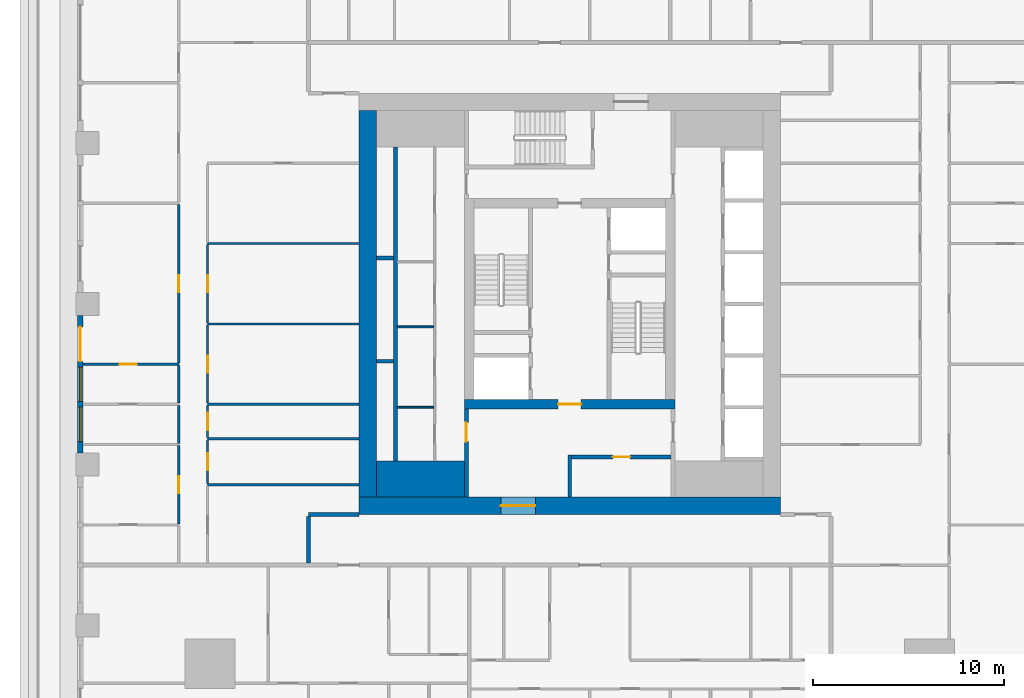
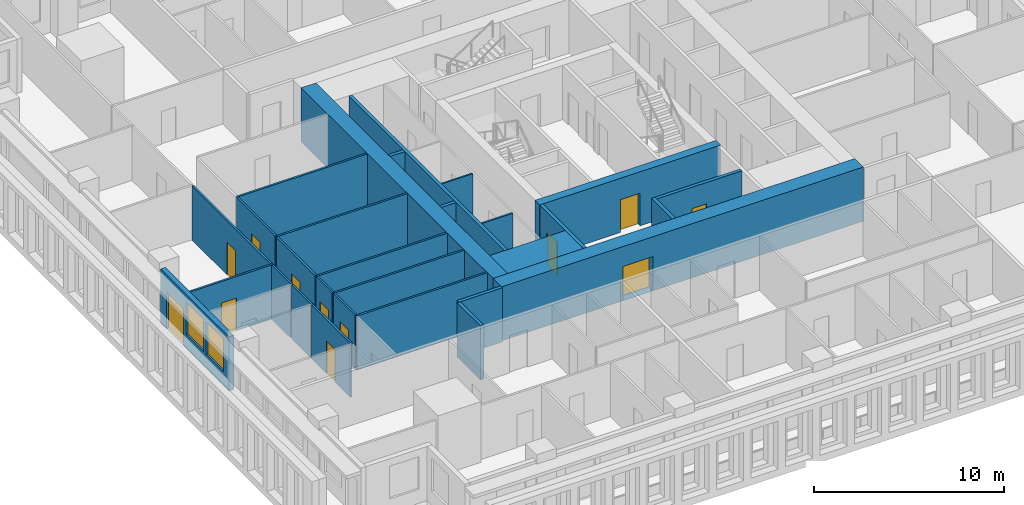
# One storey, part 3 of 16: 29 walls, 12 doors, 2 windows, 14 openings.
"""IFC4 building model written with IfcOpenShell, lengths in metres."""

import ifcopenshell
import ifcopenshell.guid

model = None  # the IFC model being written
_history = None  # IfcOwnerHistory: only IFC2X3 demands one
_inside = {}  # id of a spatial element -> (the spatial element, [elements in it])
_under = {}  # id of a project, library or spatial element -> (it, [spatial elements below it])
_declared = {}  # id of a project -> (the project, [libraries it declares])
_typed = {}  # id of a type object -> (the type object, [elements of that type])
_made_of = {}  # id of a material, layer set ... -> (it, [elements and type objects made of it])


def new_model(schema):
    """Start an empty IFC model of exactly this schema.

    Asked for "IFC4X3", IfcOpenShell would pick the latest addendum, in which some entities
    have other attributes; the version numbers below select the first issue.
    IFC2X3 requires an IfcOwnerHistory on every rooted entity: one is made here for all.
    """
    global model, _history
    if schema == "IFC4X3":
        model = ifcopenshell.file(schema_version=(4, 3, 0, 0))
    else:
        model = ifcopenshell.file(schema=schema)
    _inside.clear()
    _under.clear()
    _declared.clear()
    _typed.clear()
    _made_of.clear()
    _history = None
    if model.schema == "IFC2X3":
        org = make("IfcOrganization", Name="unknown")
        user = make(
            "IfcPersonAndOrganization",
            ThePerson=make("IfcPerson", FamilyName="unknown"),
            TheOrganization=org,
        )
        app = make(
            "IfcApplication",
            ApplicationDeveloper=org,
            Version="unknown",
            ApplicationFullName="unknown",
            ApplicationIdentifier="unknown",
        )
        _history = make(
            "IfcOwnerHistory",
            OwningUser=user,
            OwningApplication=app,
            ChangeAction="ADDED",
            CreationDate=0,
        )
    return model


def make(cls, **values):
    """One entity of the class cls with the attributes given. An attribute that is None is left unset."""
    return model.create_entity(
        cls, **{name: value for name, value in values.items() if value is not None}
    )


def rooted(cls, **values):
    """An entity with a GlobalId (a new one), such as an element, a storey or a relation."""
    return make(cls, GlobalId=ifcopenshell.guid.new(), OwnerHistory=_history, **values)


def si_unit(unit_type, name, prefix=None):
    """IfcSIUnit, for example si_unit("LENGTHUNIT", "METRE", prefix="MILLI")."""
    return make("IfcSIUnit", UnitType=unit_type, Prefix=prefix, Name=name)


def assignment(units):
    """IfcUnitAssignment: the units of a project."""
    return None if units is None else make("IfcUnitAssignment", Units=units)


def point(xyz):
    """IfcCartesianPoint."""
    return None if xyz is None else make("IfcCartesianPoint", Coordinates=xyz)


def direction(xyz):
    """IfcDirection."""
    return None if xyz is None else make("IfcDirection", DirectionRatios=xyz)


def frame(location, z_axis=None, x_axis=None):
    """IfcAxis2Placement3D, a coordinate frame: its origin and axes. An axis left out is left unset."""
    return make(
        "IfcAxis2Placement3D",
        Location=point(location),
        Axis=direction(z_axis),
        RefDirection=direction(x_axis),
    )


def frame_2d(location, x_axis=None):
    """IfcAxis2Placement2D, a coordinate frame in the plane: its origin and x axis."""
    return make(
        "IfcAxis2Placement2D", Location=point(location), RefDirection=direction(x_axis)
    )


def origin():
    """The frame at (0, 0, 0) with its axes left unset."""
    return frame((0.0, 0.0, 0.0))


def place(relative_to, where):
    """IfcLocalPlacement: puts the frame where relative to a parent placement (None: the world)."""
    return make(
        "IfcLocalPlacement", PlacementRelTo=relative_to, RelativePlacement=where
    )


def context(
    kind, dimensions, precision=None, world=None, true_north=None, identifier=None
):
    """IfcGeometricRepresentationContext, for example the 3D "Model" context."""
    return make(
        "IfcGeometricRepresentationContext",
        ContextIdentifier=identifier,
        ContextType=kind,
        CoordinateSpaceDimension=dimensions,
        Precision=precision,
        WorldCoordinateSystem=world,
        TrueNorth=true_north,
    )


def subcontext(parent, identifier, kind, view, scale=None):
    """IfcGeometricRepresentationSubContext, for example "Body" below "Model"."""
    return make(
        "IfcGeometricRepresentationSubContext",
        ContextIdentifier=identifier,
        ContextType=kind,
        ParentContext=parent,
        TargetScale=scale,
        TargetView=view,
    )


def project(units=None, contexts=None):
    """IfcProject with its units and contexts."""
    return rooted(
        "IfcProject",
        Name="project",
        RepresentationContexts=contexts,
        UnitsInContext=assignment(units),
    )


def spatial(cls, under=None, at=None, **own):
    """A site, building, storey or space (cls), placed at a placement, below another one or the project."""
    s = rooted(cls, ObjectPlacement=at, **own)
    if under is not None:
        _under.setdefault(under.id(), (under, []))[1].append(s)
    return s


def profile(cls, at=None, kind="AREA", **sizes):
    """A parametric profile (cls). Its sizes go by their IFC names, for example OverallWidth=200.0."""
    return make(cls, ProfileType=kind, Position=at, **sizes)


def rectangle(**sizes):
    """IfcRectangleProfileDef."""
    return profile("IfcRectangleProfileDef", **sizes)


def extrude(swept, where, along, depth):
    """IfcExtrudedAreaSolid: the profile swept, set in the frame where, extruded along a direction by depth."""
    return make(
        "IfcExtrudedAreaSolid",
        SweptArea=swept,
        Position=where,
        ExtrudedDirection=direction(along),
        Depth=depth,
    )


def shape(context_of_items, identifier, shape_type, items):
    """IfcShapeRepresentation: the items that make up one representation, for example the "Body"."""
    return make(
        "IfcShapeRepresentation",
        ContextOfItems=context_of_items,
        RepresentationIdentifier=identifier,
        RepresentationType=shape_type,
        Items=items,
    )


def material(Name=None, Category=None):
    """IfcMaterial."""
    return make("IfcMaterial", Name=Name, Category=Category)


def layer(
    of_material, thickness, ventilated=None, Name=None, Category=None, Priority=None
):
    """IfcMaterialLayer: one layer of a wall or slab, of a material (None: an air gap)."""
    return make(
        "IfcMaterialLayer",
        Material=of_material,
        LayerThickness=thickness,
        IsVentilated=ventilated,
        Name=Name,
        Category=Category,
        Priority=Priority,
    )


def layer_set(layers, Name=None):
    """IfcMaterialLayerSet."""
    return make("IfcMaterialLayerSet", MaterialLayers=layers, LayerSetName=Name)


def made_of(thing, what):
    """Note that an element or type object is made of a material, layer set ...; save() writes the relation."""
    if what is not None:
        _made_of.setdefault(what.id(), (what, []))[1].append(thing)
    return thing


def type_object(cls, material=None, **own):
    """A type object (cls), such as IfcWallType, which elements share."""
    return made_of(rooted(cls, **own), material)


def element(
    cls,
    number,
    at=None,
    inside=None,
    cuts=None,
    type_object=None,
    material=None,
    context=None,
    identifier="Body",
    shape_type=None,
    held_by="IfcProductDefinitionShape",
    body=None,
    shapes=None,
    **own,
):
    """One element of the class cls, such as IfcWall. Its Tag is "e" and its number.

    at: its placement. inside: the storey or other place that contains it. cuts: it is an
    opening in that element (IfcRelVoidsElement). A single representation is given by context,
    identifier, shape_type and body (its items); several are given by shapes. held_by: the class
    of the entity that holds the representations. save() writes the other relations.
    """
    e = rooted(cls, Tag="e%d" % number, ObjectPlacement=at, **own)
    if body is not None:
        shapes = [shape(context, identifier, shape_type, body)]
    if shapes is not None:
        e.Representation = make(held_by, Representations=shapes)
    if inside is not None:
        _inside.setdefault(inside.id(), (inside, []))[1].append(e)
    if cuts is not None:
        rooted(
            "IfcRelVoidsElement", RelatingBuildingElement=cuts, RelatedOpeningElement=e
        )
    if type_object is not None:
        _typed.setdefault(type_object.id(), (type_object, []))[1].append(e)
    return made_of(e, material)


def fill(opening, filler):
    """IfcRelFillsElement: the door or window that sits in an opening."""
    return rooted(
        "IfcRelFillsElement",
        RelatingOpeningElement=opening,
        RelatedBuildingElement=filler,
    )


def aggregate(whole, parts):
    """IfcRelAggregates: a whole, such as a stair, and the parts it consists of."""
    return rooted("IfcRelAggregates", RelatingObject=whole, RelatedObjects=parts)


def save(model, path):
    """Write the relations noted so far, then the file.

    IfcRelAggregates (storeys below a building ...), IfcRelContainedInSpatialStructure (elements
    in a storey), IfcRelDefinesByType, IfcRelAssociatesMaterial and IfcRelDeclares: one each for
    every whole, place, type object, material and project.
    """
    for whole, parts in _under.values():
        aggregate(whole, parts)
    for where, things in _inside.values():
        rooted(
            "IfcRelContainedInSpatialStructure",
            RelatedElements=things,
            RelatingStructure=where,
        )
    for kind, things in _typed.values():
        rooted("IfcRelDefinesByType", RelatedObjects=things, RelatingType=kind)
    for what, things in _made_of.values():
        rooted("IfcRelAssociatesMaterial", RelatedObjects=things, RelatingMaterial=what)
    for by, libraries in _declared.values():
        rooted("IfcRelDeclares", RelatingContext=by, RelatedDefinitions=libraries)
    model.write(path)


model = new_model("IFC4")

# Units and contexts
model_context = context("Model", 3, precision=1e-05, world=origin(), true_north=direction((0.0, 1.0)))
body_context = subcontext(model_context, "Body", "Model", "MODEL_VIEW")
ifc_project = project(units=[si_unit("LENGTHUNIT", "METRE"), si_unit("AREAUNIT", "SQUARE_METRE"), si_unit("VOLUMEUNIT", "CUBIC_METRE"), si_unit("PLANEANGLEUNIT", "RADIAN"), si_unit("MASSUNIT", "GRAM", prefix="KILO")], contexts=[model_context])

# Site, building, storey
site_placement = place(None, origin())
site = spatial("IfcSite", under=ifc_project, at=site_placement, CompositionType="ELEMENT")
building_placement = place(site_placement, origin())
building = spatial("IfcBuilding", under=site, at=building_placement, Name="Khepri Terraces", CompositionType="ELEMENT")
storey_placement = place(building_placement, frame((0.0, 0.0, 141.60009765625)))
storey = spatial("IfcBuildingStorey", under=building, at=storey_placement, Name="L33", CompositionType="ELEMENT", Elevation=141.60009765625)

# Walls
ifc_material_1 = material(Name="Concrete C60/75", Category="concrete")
ifc_layer_1 = layer(ifc_material_1, 1.89990234375, Name="Concrete C60/75", Category="concrete")
ifc_layer_set_1 = layer_set([ifc_layer_1], Name="Concrete C60/75")
wall_type_1 = type_object("IfcWallType", Name="Core wall 1900 C60/75", PredefinedType="SHEAR", material=ifc_layer_set_1)
wall_1_placement = place(storey_placement, frame((-10.10009765625, -9.14990234375, 0.0), z_axis=(0.0, 0.0, 1.0), x_axis=(1.0, 0.0, 0.0)))
element("IfcWall", 1, at=wall_1_placement, inside=storey, type_object=wall_type_1, Name="Core wall PR01 L33", PredefinedType="SHEAR", context=body_context, shape_type="SweptSolid", body=[
    extrude(rectangle(XDim=4.60009765625, YDim=1.89990234375, at=frame_2d((2.300048828125, 0.0))), origin(), (0.0, 0.0, 1.0), 3.47998046875),
])
ifc_layer_2 = layer(ifc_material_1, 0.199951171875, Name="Concrete C60/75", Category="concrete")
ifc_layer_set_2 = layer_set([ifc_layer_2], Name="Concrete C60/75")
wall_type_2 = type_object("IfcWallType", Name="Core wall 200 C60/75", PredefinedType="SHEAR", material=ifc_layer_set_2)
wall_2_placement = place(storey_placement, frame((-9.10009765625, -8.199951171875, 0.0), z_axis=(0.0, 0.0, 1.0), x_axis=(0.0, 1.0, 0.0)))
element("IfcWall", 2, at=wall_2_placement, inside=storey, type_object=wall_type_2, Name="Core wall SH01 L33", PredefinedType="SHEAR", context=body_context, shape_type="SweptSolid", body=[
    extrude(rectangle(XDim=16.39990234375, YDim=0.199951171875, at=frame_2d((8.199951171875, 0.0))), origin(), (0.0, 0.0, 1.0), 3.47998046875),
])
for number, where, z_axis, x_axis, name in (
    (3, (-10.10009765625, -3.0, 0.0), (0.0, 0.0, 1.0), (1.0, 0.0, 0.0), "Core wall SH06 L33"),
    (4, (-10.10009765625, 2.39990234375, 0.0), (0.0, 0.0, 1.0), (1.0, 0.0, 0.0), "Core wall SH11 L33"),
):
    element("IfcWall", number, at=place(storey_placement, frame(where, z_axis=z_axis, x_axis=x_axis)), inside=storey, type_object=wall_type_2, Name=name, PredefinedType="SHEAR", context=body_context, shape_type="SweptSolid", body=[
        extrude(rectangle(XDim=0.900146484375, YDim=0.199951171875, at=frame_2d((0.4501953125, 0.0))), origin(), (0.0, 0.0, 1.0), 3.47998046875),
    ])

# Wall, opening, door
ifc_layer_3 = layer(ifc_material_1, 0.5, Name="Concrete C60/75", Category="concrete")
ifc_layer_set_3 = layer_set([ifc_layer_3], Name="Concrete C60/75")
wall_type_3 = type_object("IfcWallType", Name="Core wall 500 C60/75", PredefinedType="SHEAR", material=ifc_layer_set_3)
wall_3_placement = place(storey_placement, frame((-5.5, -5.25, 0.0), z_axis=(0.0, 0.0, 1.0), x_axis=(1.0, 0.0, 0.0)))
wall_3 = element("IfcWall", 5, at=wall_3_placement, inside=storey, type_object=wall_type_3, Name="Core wall BX01 L33", PredefinedType="SHEAR", context=body_context, shape_type="SweptSolid", body=[
    extrude(rectangle(XDim=11.0, YDim=0.5, at=frame_2d((5.5, 0.0))), origin(), (0.0, 0.0, 1.0), 3.47998046875),
])
opening_1_placement = place(wall_3_placement, frame((4.89990234375, 0.0, 0.0)))
opening_1 = element("IfcOpeningElement", 6, at=opening_1_placement, cuts=wall_3, Name="Opening L33-C14", PredefinedType="OPENING", context=body_context, shape_type="SweptSolid", body=[
    extrude(rectangle(XDim=1.199951171875, YDim=2.10009765625, at=frame_2d((0.60009765625, 1.050048828125))), frame((0.0, 0.260009765625, 0.0), z_axis=(0.0, -1.0, 0.0), x_axis=(1.0, 0.0, 0.0)), (0.0, 0.0, 1.0), 0.52001953125),
])
ifc_material_2 = material(Name="Painted steel", Category="steel")
door_type_1 = type_object("IfcDoorType", Name="DR-CORE-FF-LOBBY-1200", OperationType="NOTDEFINED", PredefinedType="DOOR", material=ifc_material_2)
door_1_placement = place(opening_1_placement, origin())
door_1 = element("IfcDoor", 7, at=door_1_placement, inside=storey, type_object=door_type_1, Name="Firefighting lobby door L33-C14", OperationType="SINGLE_SWING_RIGHT", OverallHeight=2.10009765625, OverallWidth=1.199951171875, PredefinedType="DOOR", context=body_context, shape_type="SweptSolid", body=[
    extrude(rectangle(XDim=1.199951171875, YDim=2.10009765625, at=frame_2d((0.60009765625, 1.050048828125))), frame((0.0, 0.02490234375, 0.0), z_axis=(0.0, -1.0, 0.0), x_axis=(1.0, 0.0, 0.0)), (0.0, 0.0, 1.0), 0.050048828125),
])
fill(opening_1, door_1)

ifc_layer_4 = layer(ifc_material_1, 0.89990234375, Name="Concrete C60/75", Category="concrete")
ifc_layer_set_4 = layer_set([ifc_layer_4], Name="Concrete C60/75")
wall_type_4 = type_object("IfcWallType", Name="Core wall 900 C60/75", PredefinedType="SHEAR", material=ifc_layer_set_4)
wall_4_placement = place(storey_placement, frame((-11.0, -10.550048828125, 0.0), z_axis=(0.0, 0.0, 1.0), x_axis=(1.0, 0.0, 0.0)))
wall_4 = element("IfcWall", 8, at=wall_4_placement, inside=storey, type_object=wall_type_4, Name="Core wall OW-S L33", PredefinedType="SHEAR", context=body_context, shape_type="SweptSolid", body=[
    extrude(rectangle(XDim=22.0, YDim=0.89990234375, at=frame_2d((11.0, 0.0))), origin(), (0.0, 0.0, 1.0), 3.47998046875),
])
opening_2_placement = place(wall_4_placement, frame((7.39990234375, 0.0, 0.0)))
opening_2 = element("IfcOpeningElement", 9, at=opening_2_placement, cuts=wall_4, Name="Opening L33-C21", PredefinedType="OPENING", context=body_context, shape_type="SweptSolid", body=[
    extrude(rectangle(XDim=1.800048828125, YDim=2.199951171875, at=frame_2d((0.89990234375, 1.10009765625))), frame((0.0, 0.4599609375, 0.0), z_axis=(0.0, -1.0, 0.0), x_axis=(1.0, 0.0, 0.0)), (0.0, 0.0, 1.0), 0.919921875),
])
door_type_2 = type_object("IfcDoorType", Name="DR-CORE-ENTRANCE-1800", OperationType="NOTDEFINED", PredefinedType="DOOR", material=ifc_material_2)
door_2_placement = place(opening_2_placement, frame((1.800048828125, 0.0, 0.0), z_axis=(0.0, 0.0, 1.0), x_axis=(-1.0, 0.0, 0.0)))
door_2 = element("IfcDoor", 10, at=door_2_placement, inside=storey, type_object=door_type_2, Name="Core entrance door pair L33-C21", OperationType="DOUBLE_DOOR_SINGLE_SWING", OverallHeight=2.199951171875, OverallWidth=1.800048828125, PredefinedType="DOOR", context=body_context, shape_type="SweptSolid", body=[
    extrude(rectangle(XDim=1.800048828125, YDim=2.199951171875, at=frame_2d((0.89990234375, 1.10009765625))), frame((0.0, 0.02490234375, 0.0), z_axis=(0.0, -1.0, 0.0), x_axis=(1.0, 0.0, 0.0)), (0.0, 0.0, 1.0), 0.050048828125),
])
fill(opening_2, door_2)

# Walls
wall_5_placement = place(storey_placement, frame((-10.550048828125, -10.10009765625, 0.0), z_axis=(0.0, 0.0, 1.0), x_axis=(0.0, 1.0, 0.0)))
element("IfcWall", 11, at=wall_5_placement, inside=storey, type_object=wall_type_4, Name="Core wall OW-W L33", PredefinedType="SHEAR", context=body_context, shape_type="SweptSolid", body=[
    extrude(rectangle(XDim=20.2001953125, YDim=0.89990234375, at=frame_2d((10.10009765625, 0.0))), origin(), (0.0, 0.0, 1.0), 3.47998046875),
])
ifc_material_3 = material(Name="Fire-rated gypsum board partition")
ifc_layer_5 = layer(ifc_material_3, 0.10009765625, Name="Fire-rated gypsum board partition")
ifc_layer_set_5 = layer_set([ifc_layer_5], Name="Fire-rated gypsum board partition")
wall_type_5 = type_object("IfcWallType", Name="WL-CORE-PART-100", PredefinedType="PARTITIONING", material=ifc_layer_set_5)
for number, where, z_axis, x_axis, name in (
    (12, (-9.0, -5.39990234375, 0.0), (0.0, 0.0, 1.0), (1.0, 0.0, 0.0), "Core partition PT06 L33"),
    (13, (-9.0, -1.199951171875, 0.0), (0.0, 0.0, 1.0), (1.0, 0.0, 0.0), "Core partition PT07 L33"),
):
    element("IfcWall", number, at=place(storey_placement, frame(where, z_axis=z_axis, x_axis=x_axis)), inside=storey, type_object=wall_type_5, Name=name, PredefinedType="PARTITIONING", context=body_context, shape_type="SweptSolid", body=[
        extrude(rectangle(XDim=1.89990234375, YDim=0.10009765625, at=frame_2d((0.949951171875, 0.0))), origin(), (0.0, 0.0, 1.0), 3.47998046875),
    ])

# Wall, opening, door
ifc_layer_6 = layer(ifc_material_3, 0.199951171875, Name="Fire-rated gypsum board partition")
ifc_layer_set_6 = layer_set([ifc_layer_6], Name="Fire-rated gypsum board partition")
wall_type_6 = type_object("IfcWallType", Name="WL-CORE-PART-200", PredefinedType="PARTITIONING", material=ifc_layer_set_6)
wall_6_placement = place(storey_placement, frame((-5.39990234375, -10.10009765625, 0.0), z_axis=(0.0, 0.0, 1.0), x_axis=(0.0, 1.0, 0.0)))
wall_6 = element("IfcWall", 14, at=wall_6_placement, inside=storey, type_object=wall_type_6, Name="Core partition PT01 L33", PredefinedType="PARTITIONING", context=body_context, shape_type="SweptSolid", body=[
    extrude(rectangle(XDim=4.60009765625, YDim=0.199951171875, at=frame_2d((2.300048828125, 0.0))), origin(), (0.0, 0.0, 1.0), 3.47998046875),
])
opening_3_placement = place(wall_6_placement, frame((2.89990234375, 0.0, 0.0)))
opening_3 = element("IfcOpeningElement", 15, at=opening_3_placement, cuts=wall_6, Name="Opening L33-C18", PredefinedType="OPENING", context=body_context, shape_type="SweptSolid", body=[
    extrude(rectangle(XDim=1.0, YDim=2.10009765625, at=frame_2d((0.5, 1.050048828125))), frame((0.0, 0.10986328125, 0.0), z_axis=(0.0, -1.0, 0.0), x_axis=(1.0, 0.0, 0.0)), (0.0, 0.0, 1.0), 0.219970703125),
])
door_type_3 = type_object("IfcDoorType", Name="DR-CORE-LOBBY-1000", OperationType="NOTDEFINED", PredefinedType="DOOR", material=ifc_material_2)
door_3_placement = place(opening_3_placement, frame((1.0, 0.0, 0.0), z_axis=(0.0, 0.0, 1.0), x_axis=(-1.0, 0.0, 0.0)))
door_3 = element("IfcDoor", 16, at=door_3_placement, inside=storey, type_object=door_type_3, Name="Lobby door L33-C18", OperationType="SINGLE_SWING_LEFT", OverallHeight=2.10009765625, OverallWidth=1.0, PredefinedType="DOOR", context=body_context, shape_type="SweptSolid", body=[
    extrude(rectangle(XDim=1.0, YDim=2.10009765625, at=frame_2d((0.5, 1.050048828125))), frame((0.0, 0.02490234375, 0.0), z_axis=(0.0, -1.0, 0.0), x_axis=(1.0, 0.0, 0.0)), (0.0, 0.0, 1.0), 0.050048828125),
])
fill(opening_3, door_3)

# Wall
wall_7_placement = place(storey_placement, frame((0.0, -10.10009765625, 0.0), z_axis=(0.0, 0.0, 1.0), x_axis=(0.0, 1.0, 0.0)))
element("IfcWall", 17, at=wall_7_placement, inside=storey, type_object=wall_type_6, Name="Core partition PT02 L33", PredefinedType="PARTITIONING", context=body_context, shape_type="SweptSolid", body=[
    extrude(rectangle(XDim=2.2001953125, YDim=0.199951171875, at=frame_2d((1.10009765625, 0.0))), origin(), (0.0, 0.0, 1.0), 3.47998046875),
])

# Wall, opening, door
wall_8_placement = place(storey_placement, frame((0.10009765625, -8.0, 0.0), z_axis=(0.0, 0.0, 1.0), x_axis=(1.0, 0.0, 0.0)))
wall_8 = element("IfcWall", 18, at=wall_8_placement, inside=storey, type_object=wall_type_6, Name="Core partition PT05 L33", PredefinedType="PARTITIONING", context=body_context, shape_type="SweptSolid", body=[
    extrude(rectangle(XDim=5.199951171875, YDim=0.199951171875, at=frame_2d((2.60009765625, 0.0))), origin(), (0.0, 0.0, 1.0), 3.47998046875),
])
opening_4_placement = place(wall_8_placement, frame((2.14990234375, 0.0, 0.0)))
opening_4 = element("IfcOpeningElement", 19, at=opening_4_placement, cuts=wall_8, Name="Opening L33-C22", PredefinedType="OPENING", context=body_context, shape_type="SweptSolid", body=[
    extrude(rectangle(XDim=0.89990234375, YDim=2.10009765625, at=frame_2d((0.449951171875, 1.050048828125))), frame((0.0, 0.10986328125, 0.0), z_axis=(0.0, -1.0, 0.0), x_axis=(1.0, 0.0, 0.0)), (0.0, 0.0, 1.0), 0.219970703125),
])
door_type_4 = type_object("IfcDoorType", Name="DR-CORE-SERVICE-900", OperationType="NOTDEFINED", PredefinedType="DOOR", material=ifc_material_2)
door_4_placement = place(opening_4_placement, frame((0.89990234375, 0.0, 0.0), z_axis=(0.0, 0.0, 1.0), x_axis=(-1.0, 0.0, 0.0)))
door_4 = element("IfcDoor", 20, at=door_4_placement, inside=storey, type_object=door_type_4, Name="Service room door L33-C22", OperationType="SINGLE_SWING_LEFT", OverallHeight=2.10009765625, OverallWidth=0.89990234375, PredefinedType="DOOR", context=body_context, shape_type="SweptSolid", body=[
    extrude(rectangle(XDim=0.89990234375, YDim=2.10009765625, at=frame_2d((0.449951171875, 1.050048828125))), frame((0.0, 0.02490234375, 0.0), z_axis=(0.0, -1.0, 0.0), x_axis=(1.0, 0.0, 0.0)), (0.0, 0.0, 1.0), 0.050048828125),
])
fill(opening_4, door_4)

# Walls
ifc_material_4 = material(Name="Fire-rated gypsum plasterboard partition, mineral wool")
ifc_layer_7 = layer(ifc_material_4, 0.199951171875, Name="Fire-rated gypsum plasterboard partition, mineral wool")
ifc_layer_set_7 = layer_set([ifc_layer_7], Name="Fire-rated gypsum plasterboard partition, mineral wool")
wall_type_7 = type_object("IfcWallType", Name="WL-CORR-200", PredefinedType="PARTITIONING", material=ifc_layer_set_7)
wall_9_placement = place(storey_placement, frame((-13.64990234375, -13.550048828125, 0.0), z_axis=(0.0, 0.0, 1.0), x_axis=(0.0, 1.0, 0.0)))
element("IfcWall", 21, at=wall_9_placement, inside=storey, type_object=wall_type_7, Name="Partition P-031 L33", PredefinedType="PARTITIONING", context=body_context, shape_type="SweptSolid", body=[
    extrude(rectangle(XDim=2.449951171875, YDim=0.199951171875, at=frame_2d((1.22509765625, 0.0))), origin(), (0.0, 0.0, 1.0), 3.47998046875),
])
wall_10_placement = place(storey_placement, frame((-13.64990234375, -11.0, 0.0), z_axis=(0.0, 0.0, 1.0), x_axis=(1.0, 0.0, 0.0)))
element("IfcWall", 22, at=wall_10_placement, inside=storey, type_object=wall_type_7, Name="Partition P-037 L33", PredefinedType="PARTITIONING", context=body_context, shape_type="SweptSolid", body=[
    extrude(rectangle(XDim=2.64990234375, YDim=0.199951171875, at=frame_2d((1.324951171875, 0.0))), origin(), (0.0, 0.0, 1.0), 3.47998046875),
])

# Wall, openings, door, windows
ifc_material_5 = material(Name="Precast concrete C50/60 warm stone", Category="masonry")
ifc_layer_8 = layer(ifc_material_5, 0.300048828125, Name="Precast concrete C50/60 warm stone", Category="masonry")
ifc_layer_set_8 = layer_set([ifc_layer_8], Name="Precast concrete C50/60 warm stone")
wall_type_8 = type_object("IfcWallType", Name="WL-EXT-PRECAST-300", PredefinedType="STANDARD", material=ifc_layer_set_8)
wall_11_placement = place(storey_placement, frame((-25.570068359375, -0.60009765625, 0.0), z_axis=(0.0, 0.0, 1.0), x_axis=(0.0, -1.0, 0.0)))
wall_11 = element("IfcWall", 23, at=wall_11_placement, inside=storey, type_object=wall_type_8, Name="External wall L33 W", PredefinedType="STANDARD", context=body_context, shape_type="SweptSolid", body=[
    extrude(rectangle(XDim=7.199951171875, YDim=0.300048828125, at=frame_2d((3.60009765625, 0.0))), origin(), (0.0, 0.0, 1.0), 3.47998046875),
])
opening_5_placement = place(wall_11_placement, frame((0.60009765625, 0.0, 0.0)))
opening_5 = element("IfcOpeningElement", 24, at=opening_5_placement, cuts=wall_11, Name="Opening ED-L33-18", PredefinedType="OPENING", context=body_context, shape_type="SweptSolid", body=[
    extrude(rectangle(XDim=1.800048828125, YDim=2.39990234375, at=frame_2d((0.89990234375, 1.199951171875))), frame((0.0, 0.16015625, 0.0), z_axis=(0.0, -1.0, 0.0), x_axis=(1.0, 0.0, 0.0)), (0.0, 0.0, 1.0), 0.320068359375),
])
opening_6_placement = place(wall_11_placement, frame((2.699951171875, 0.0, 0.89990234375)))
opening_6 = element("IfcOpeningElement", 25, at=opening_6_placement, cuts=wall_11, Name="Opening W1", PredefinedType="OPENING", context=body_context, shape_type="SweptSolid", body=[
    extrude(rectangle(XDim=1.800048828125, YDim=2.10009765625, at=frame_2d((0.89990234375, 1.050048828125))), frame((0.0, 0.16015625, 0.0), z_axis=(0.0, -1.0, 0.0), x_axis=(1.0, 0.0, 0.0)), (0.0, 0.0, 1.0), 0.320068359375),
])
opening_7_placement = place(wall_11_placement, frame((4.800048828125, 0.0, 0.89990234375)))
opening_7 = element("IfcOpeningElement", 26, at=opening_7_placement, cuts=wall_11, Name="Opening W1", PredefinedType="OPENING", context=body_context, shape_type="SweptSolid", body=[
    extrude(rectangle(XDim=1.800048828125, YDim=2.10009765625, at=frame_2d((0.89990234375, 1.050048828125))), frame((0.0, 0.16015625, 0.0), z_axis=(0.0, -1.0, 0.0), x_axis=(1.0, 0.0, 0.0)), (0.0, 0.0, 1.0), 0.320068359375),
])
ifc_material_6 = material(Name="Anodised aluminium bronze glazed door", Category="aluminium")
door_type_5 = type_object("IfcDoorType", Name="DR-BAL-SLIDE-1800x2400", OperationType="NOTDEFINED", PredefinedType="DOOR", material=ifc_material_6)
door_5_placement = place(opening_5_placement, origin())
door_5 = element("IfcDoor", 27, at=door_5_placement, inside=storey, type_object=door_type_5, Name="Balcony door L33 W", OperationType="SLIDING_TO_LEFT", OverallHeight=2.39990234375, OverallWidth=1.800048828125, PredefinedType="DOOR", context=body_context, shape_type="SweptSolid", body=[
    extrude(rectangle(XDim=1.800048828125, YDim=2.39990234375, at=frame_2d((0.89990234375, 1.199951171875))), frame((0.0, 0.02490234375, 0.0), z_axis=(0.0, -1.0, 0.0), x_axis=(1.0, 0.0, 0.0)), (0.0, 0.0, 1.0), 0.050048828125),
])
fill(opening_5, door_5)
ifc_material_7 = material(Name="Clear glass", Category="glass")
window_type = type_object("IfcWindowType", Name="WIN-RES-1800x2100", PartitioningType="SINGLE_PANEL", PredefinedType="WINDOW", material=ifc_material_7)
window_1_placement = place(opening_6_placement, origin())
window_1 = element("IfcWindow", 28, at=window_1_placement, inside=storey, type_object=window_type, Name="Window L33 W", OverallHeight=2.10009765625, OverallWidth=1.800048828125, PartitioningType="SINGLE_PANEL", PredefinedType="WINDOW", context=body_context, shape_type="SweptSolid", body=[
    extrude(rectangle(XDim=1.800048828125, YDim=2.10009765625, at=frame_2d((0.89990234375, 1.050048828125))), frame((0.0, 0.030029296875, 0.0), z_axis=(0.0, -1.0, 0.0), x_axis=(1.0, 0.0, 0.0)), (0.0, 0.0, 1.0), 0.06005859375),
])
fill(opening_6, window_1)
window_2_placement = place(opening_7_placement, origin())
window_2 = element("IfcWindow", 29, at=window_2_placement, inside=storey, type_object=window_type, Name="Window L33 W", OverallHeight=2.10009765625, OverallWidth=1.800048828125, PartitioningType="SINGLE_PANEL", PredefinedType="WINDOW", context=body_context, shape_type="SweptSolid", body=[
    extrude(rectangle(XDim=1.800048828125, YDim=2.10009765625, at=frame_2d((0.89990234375, 1.050048828125))), frame((0.0, 0.030029296875, 0.0), z_axis=(0.0, -1.0, 0.0), x_axis=(1.0, 0.0, 0.0)), (0.0, 0.0, 1.0), 0.06005859375),
])
fill(opening_7, window_2)

# Wall, opening, door
ifc_material_8 = material(Name="Gypsum plasterboard partition")
ifc_layer_9 = layer(ifc_material_8, 0.1201171875, Name="Gypsum plasterboard partition")
ifc_layer_set_9 = layer_set([ifc_layer_9], Name="Gypsum plasterboard partition")
wall_type_9 = type_object("IfcWallType", Name="WL-PART-120", PredefinedType="PARTITIONING", material=ifc_layer_set_9)
wall_12_placement = place(storey_placement, frame((-20.419921875, -11.489990234375, 0.0), z_axis=(0.0, 0.0, 1.0), x_axis=(0.0, 1.0, 0.0)))
wall_12 = element("IfcWall", 30, at=wall_12_placement, inside=storey, type_object=wall_type_9, Name="Partition P-035 L33", PredefinedType="PARTITIONING", context=body_context, shape_type="SweptSolid", body=[
    extrude(rectangle(XDim=4.080078125, YDim=0.1201171875, at=frame_2d((2.0400390625, 0.0))), origin(), (0.0, 0.0, 1.0), 3.47998046875),
])
opening_8_placement = place(wall_12_placement, frame((1.590087890625, 0.0, 0.0)))
opening_8 = element("IfcOpeningElement", 31, at=opening_8_placement, cuts=wall_12, Name="Opening D3", PredefinedType="OPENING", context=body_context, shape_type="SweptSolid", body=[
    extrude(rectangle(XDim=0.89990234375, YDim=2.10009765625, at=frame_2d((0.449951171875, 1.050048828125))), frame((0.0, 0.070068359375, 0.0), z_axis=(0.0, -1.0, 0.0), x_axis=(1.0, 0.0, 0.0)), (0.0, 0.0, 1.0), 0.14013671875),
])
ifc_material_9 = material(Name="Timber door leaf", Category="wood")
door_type_6 = type_object("IfcDoorType", Name="DR-INT-900", OperationType="NOTDEFINED", PredefinedType="DOOR", material=ifc_material_9)
door_6_placement = place(opening_8_placement, origin())
door_6 = element("IfcDoor", 32, at=door_6_placement, inside=storey, type_object=door_type_6, Name="Door Bedroom", OperationType="SINGLE_SWING_RIGHT", OverallHeight=2.10009765625, OverallWidth=0.89990234375, PredefinedType="DOOR", context=body_context, shape_type="SweptSolid", body=[
    extrude(rectangle(XDim=0.89990234375, YDim=2.10009765625, at=frame_2d((0.449951171875, 1.050048828125))), frame((0.0, 0.02490234375, 0.0), z_axis=(0.0, -1.0, 0.0), x_axis=(1.0, 0.0, 0.0)), (0.0, 0.0, 1.0), 0.050048828125),
])
fill(opening_8, door_6)

# Wall
wall_13_placement = place(storey_placement, frame((-18.919921875, -9.449951171875, 0.0), z_axis=(0.0, 0.0, 1.0), x_axis=(1.0, 0.0, 0.0)))
element("IfcWall", 33, at=wall_13_placement, inside=storey, type_object=wall_type_9, Name="Partition P-039 L33", PredefinedType="PARTITIONING", context=body_context, shape_type="SweptSolid", body=[
    extrude(rectangle(XDim=7.919921875, YDim=0.1201171875, at=frame_2d((3.9599609375, 0.0))), origin(), (0.0, 0.0, 1.0), 3.47998046875),
])

# Wall, opening, door
wall_14_placement = place(storey_placement, frame((-18.919921875, -9.389892578125, 0.0), z_axis=(0.0, 0.0, 1.0), x_axis=(0.0, 1.0, 0.0)))
wall_14 = element("IfcWall", 34, at=wall_14_placement, inside=storey, type_object=wall_type_9, Name="Partition P-040 L33", PredefinedType="PARTITIONING", context=body_context, shape_type="SweptSolid", body=[
    extrude(rectangle(XDim=2.27978515625, YDim=0.1201171875, at=frame_2d((1.139892578125, 0.0))), origin(), (0.0, 0.0, 1.0), 3.47998046875),
])
opening_9_placement = place(wall_14_placement, frame((0.68994140625, 0.0, 0.0)))
opening_9 = element("IfcOpeningElement", 35, at=opening_9_placement, cuts=wall_14, Name="Opening D4", PredefinedType="OPENING", context=body_context, shape_type="SweptSolid", body=[
    extrude(rectangle(XDim=0.89990234375, YDim=2.10009765625, at=frame_2d((0.449951171875, 1.050048828125))), frame((0.0, 0.070068359375, 0.0), z_axis=(0.0, -1.0, 0.0), x_axis=(1.0, 0.0, 0.0)), (0.0, 0.0, 1.0), 0.14013671875),
])
ifc_material_10 = material(Name="Timber door leaf, moisture resistant", Category="wood")
door_type_7 = type_object("IfcDoorType", Name="DR-WET-900", OperationType="NOTDEFINED", PredefinedType="DOOR", material=ifc_material_10)
door_7_placement = place(opening_9_placement, frame((0.89990234375, 0.0, 0.0), z_axis=(0.0, 0.0, 1.0), x_axis=(-1.0, 0.0, 0.0)))
door_7 = element("IfcDoor", 36, at=door_7_placement, inside=storey, type_object=door_type_7, Name="Door Guest Bathroom", OperationType="SINGLE_SWING_LEFT", OverallHeight=2.10009765625, OverallWidth=0.89990234375, PredefinedType="DOOR", context=body_context, shape_type="SweptSolid", body=[
    extrude(rectangle(XDim=0.89990234375, YDim=2.10009765625, at=frame_2d((0.449951171875, 1.050048828125))), frame((0.0, 0.02490234375, 0.0), z_axis=(0.0, -1.0, 0.0), x_axis=(1.0, 0.0, 0.0)), (0.0, 0.0, 1.0), 0.050048828125),
])
fill(opening_9, door_7)

# Walls
wall_15_placement = place(storey_placement, frame((-20.419921875, -7.2900390625, 0.0), z_axis=(0.0, 0.0, 1.0), x_axis=(0.0, 1.0, 0.0)))
element("IfcWall", 37, at=wall_15_placement, inside=storey, type_object=wall_type_9, Name="Partition P-043 L33", PredefinedType="PARTITIONING", context=body_context, shape_type="SweptSolid", body=[
    extrude(rectangle(XDim=1.97998046875, YDim=0.1201171875, at=frame_2d((0.989990234375, 0.0))), origin(), (0.0, 0.0, 1.0), 3.47998046875),
])
wall_16_placement = place(storey_placement, frame((-18.919921875, -7.050048828125, 0.0), z_axis=(0.0, 0.0, 1.0), x_axis=(1.0, 0.0, 0.0)))
element("IfcWall", 38, at=wall_16_placement, inside=storey, type_object=wall_type_9, Name="Partition P-045 L33", PredefinedType="PARTITIONING", context=body_context, shape_type="SweptSolid", body=[
    extrude(rectangle(XDim=7.919921875, YDim=0.1201171875, at=frame_2d((3.9599609375, 0.0))), origin(), (0.0, 0.0, 1.0), 3.47998046875),
])

# Wall, opening, door
wall_17_placement = place(storey_placement, frame((-18.919921875, -6.989990234375, 0.0), z_axis=(0.0, 0.0, 1.0), x_axis=(0.0, 1.0, 0.0)))
wall_17 = element("IfcWall", 39, at=wall_17_placement, inside=storey, type_object=wall_type_9, Name="Partition P-046 L33", PredefinedType="PARTITIONING", context=body_context, shape_type="SweptSolid", body=[
    extrude(rectangle(XDim=1.679931640625, YDim=0.1201171875, at=frame_2d((0.83984375, 0.0))), origin(), (0.0, 0.0, 1.0), 3.47998046875),
])
opening_10_placement = place(wall_17_placement, frame((0.389892578125, 0.0, 0.0)))
opening_10 = element("IfcOpeningElement", 40, at=opening_10_placement, cuts=wall_17, Name="Opening D4", PredefinedType="OPENING", context=body_context, shape_type="SweptSolid", body=[
    extrude(rectangle(XDim=0.89990234375, YDim=2.10009765625, at=frame_2d((0.449951171875, 1.050048828125))), frame((0.0, 0.070068359375, 0.0), z_axis=(0.0, -1.0, 0.0), x_axis=(1.0, 0.0, 0.0)), (0.0, 0.0, 1.0), 0.14013671875),
])
door_8_placement = place(opening_10_placement, frame((0.89990234375, 0.0, 0.0), z_axis=(0.0, 0.0, 1.0), x_axis=(-1.0, 0.0, 0.0)))
door_8 = element("IfcDoor", 41, at=door_8_placement, inside=storey, type_object=door_type_7, Name="Door Powder Room", OperationType="SINGLE_SWING_RIGHT", OverallHeight=2.10009765625, OverallWidth=0.89990234375, PredefinedType="DOOR", context=body_context, shape_type="SweptSolid", body=[
    extrude(rectangle(XDim=0.89990234375, YDim=2.10009765625, at=frame_2d((0.449951171875, 1.050048828125))), frame((0.0, 0.02490234375, 0.0), z_axis=(0.0, -1.0, 0.0), x_axis=(1.0, 0.0, 0.0)), (0.0, 0.0, 1.0), 0.050048828125),
])
fill(opening_10, door_8)

# Walls
wall_18_placement = place(storey_placement, frame((-18.919921875, -5.25, 0.0), z_axis=(0.0, 0.0, 1.0), x_axis=(1.0, 0.0, 0.0)))
element("IfcWall", 42, at=wall_18_placement, inside=storey, type_object=wall_type_9, Name="Partition P-048 L33", PredefinedType="PARTITIONING", context=body_context, shape_type="SweptSolid", body=[
    extrude(rectangle(XDim=7.919921875, YDim=0.1201171875, at=frame_2d((3.9599609375, 0.0))), origin(), (0.0, 0.0, 1.0), 3.47998046875),
])
wall_19_placement = place(storey_placement, frame((-20.419921875, -5.18994140625, 0.0), z_axis=(0.0, 0.0, 1.0), x_axis=(0.0, 1.0, 0.0)))
element("IfcWall", 43, at=wall_19_placement, inside=storey, type_object=wall_type_9, Name="Partition P-049 L33", PredefinedType="PARTITIONING", context=body_context, shape_type="SweptSolid", body=[
    extrude(rectangle(XDim=1.97998046875, YDim=0.1201171875, at=frame_2d((0.989990234375, 0.0))), origin(), (0.0, 0.0, 1.0), 3.47998046875),
])

# Wall, opening, door
wall_20_placement = place(storey_placement, frame((-18.919921875, -5.18994140625, 0.0), z_axis=(0.0, 0.0, 1.0), x_axis=(0.0, 1.0, 0.0)))
wall_20 = element("IfcWall", 44, at=wall_20_placement, inside=storey, type_object=wall_type_9, Name="Partition P-050 L33", PredefinedType="PARTITIONING", context=body_context, shape_type="SweptSolid", body=[
    extrude(rectangle(XDim=4.079833984375, YDim=0.1201171875, at=frame_2d((2.0400390625, 0.0))), origin(), (0.0, 0.0, 1.0), 3.47998046875),
])
opening_11_placement = place(wall_20_placement, frame((1.590087890625, 0.0, 0.0)))
opening_11 = element("IfcOpeningElement", 45, at=opening_11_placement, cuts=wall_20, Name="Opening D3", PredefinedType="OPENING", context=body_context, shape_type="SweptSolid", body=[
    extrude(rectangle(XDim=0.89990234375, YDim=2.10009765625, at=frame_2d((0.449951171875, 1.050048828125))), frame((0.0, 0.070068359375, 0.0), z_axis=(0.0, -1.0, 0.0), x_axis=(1.0, 0.0, 0.0)), (0.0, 0.0, 1.0), 0.14013671875),
])
door_9_placement = place(opening_11_placement, frame((0.89990234375, 0.0, 0.0), z_axis=(0.0, 0.0, 1.0), x_axis=(-1.0, 0.0, 0.0)))
door_9 = element("IfcDoor", 46, at=door_9_placement, inside=storey, type_object=door_type_6, Name="Door Staff Bedroom", OperationType="SINGLE_SWING_LEFT", OverallHeight=2.10009765625, OverallWidth=0.89990234375, PredefinedType="DOOR", context=body_context, shape_type="SweptSolid", body=[
    extrude(rectangle(XDim=0.89990234375, YDim=2.10009765625, at=frame_2d((0.449951171875, 1.050048828125))), frame((0.0, 0.02490234375, 0.0), z_axis=(0.0, -1.0, 0.0), x_axis=(1.0, 0.0, 0.0)), (0.0, 0.0, 1.0), 0.050048828125),
])
fill(opening_11, door_9)

wall_21_placement = place(storey_placement, frame((-25.419921875, -3.14990234375, 0.0), z_axis=(0.0, 0.0, 1.0), x_axis=(1.0, 0.0, 0.0)))
wall_21 = element("IfcWall", 47, at=wall_21_placement, inside=storey, type_object=wall_type_9, Name="Partition P-053 L33", PredefinedType="PARTITIONING", context=body_context, shape_type="SweptSolid", body=[
    extrude(rectangle(XDim=5.0, YDim=0.1201171875, at=frame_2d((2.5, 0.0))), origin(), (0.0, 0.0, 1.0), 3.47998046875),
])
opening_12_placement = place(wall_21_placement, frame((1.89990234375, 0.0, 0.0)))
opening_12 = element("IfcOpeningElement", 48, at=opening_12_placement, cuts=wall_21, Name="Opening D3", PredefinedType="OPENING", context=body_context, shape_type="SweptSolid", body=[
    extrude(rectangle(XDim=0.89990234375, YDim=2.10009765625, at=frame_2d((0.449951171875, 1.050048828125))), frame((0.0, 0.070068359375, 0.0), z_axis=(0.0, -1.0, 0.0), x_axis=(1.0, 0.0, 0.0)), (0.0, 0.0, 1.0), 0.14013671875),
])
door_10_placement = place(opening_12_placement, frame((0.89990234375, 0.0, 0.0), z_axis=(0.0, 0.0, 1.0), x_axis=(-1.0, 0.0, 0.0)))
door_10 = element("IfcDoor", 49, at=door_10_placement, inside=storey, type_object=door_type_6, Name="Door Dressing Room", OperationType="SINGLE_SWING_RIGHT", OverallHeight=2.10009765625, OverallWidth=0.89990234375, PredefinedType="DOOR", context=body_context, shape_type="SweptSolid", body=[
    extrude(rectangle(XDim=0.89990234375, YDim=2.10009765625, at=frame_2d((0.449951171875, 1.050048828125))), frame((0.0, 0.02490234375, 0.0), z_axis=(0.0, -1.0, 0.0), x_axis=(1.0, 0.0, 0.0)), (0.0, 0.0, 1.0), 0.050048828125),
])
fill(opening_12, door_10)

wall_22_placement = place(storey_placement, frame((-20.419921875, -3.090087890625, 0.0), z_axis=(0.0, 0.0, 1.0), x_axis=(0.0, 1.0, 0.0)))
wall_22 = element("IfcWall", 50, at=wall_22_placement, inside=storey, type_object=wall_type_9, Name="Partition P-055 L33", PredefinedType="PARTITIONING", context=body_context, shape_type="SweptSolid", body=[
    extrude(rectangle(XDim=8.280029296875, YDim=0.1201171875, at=frame_2d((4.14013671875, 0.0))), origin(), (0.0, 0.0, 1.0), 3.47998046875),
])
opening_13_placement = place(wall_22_placement, frame((3.68994140625, 0.0, 0.0)))
opening_13 = element("IfcOpeningElement", 51, at=opening_13_placement, cuts=wall_22, Name="Opening D3", PredefinedType="OPENING", context=body_context, shape_type="SweptSolid", body=[
    extrude(rectangle(XDim=0.89990234375, YDim=2.10009765625, at=frame_2d((0.449951171875, 1.050048828125))), frame((0.0, 0.070068359375, 0.0), z_axis=(0.0, -1.0, 0.0), x_axis=(1.0, 0.0, 0.0)), (0.0, 0.0, 1.0), 0.14013671875),
])
door_11_placement = place(opening_13_placement, origin())
door_11 = element("IfcDoor", 52, at=door_11_placement, inside=storey, type_object=door_type_6, Name="Door Master Bedroom", OperationType="SINGLE_SWING_LEFT", OverallHeight=2.10009765625, OverallWidth=0.89990234375, PredefinedType="DOOR", context=body_context, shape_type="SweptSolid", body=[
    extrude(rectangle(XDim=0.89990234375, YDim=2.10009765625, at=frame_2d((0.449951171875, 1.050048828125))), frame((0.0, 0.02490234375, 0.0), z_axis=(0.0, -1.0, 0.0), x_axis=(1.0, 0.0, 0.0)), (0.0, 0.0, 1.0), 0.050048828125),
])
fill(opening_13, door_11)

# Wall
wall_23_placement = place(storey_placement, frame((-18.919921875, -1.050048828125, 0.0), z_axis=(0.0, 0.0, 1.0), x_axis=(1.0, 0.0, 0.0)))
element("IfcWall", 53, at=wall_23_placement, inside=storey, type_object=wall_type_9, Name="Partition P-057 L33", PredefinedType="PARTITIONING", context=body_context, shape_type="SweptSolid", body=[
    extrude(rectangle(XDim=7.919921875, YDim=0.1201171875, at=frame_2d((3.9599609375, 0.0))), origin(), (0.0, 0.0, 1.0), 3.47998046875),
])

# Wall, opening, door
wall_24_placement = place(storey_placement, frame((-18.919921875, -0.989990234375, 0.0), z_axis=(0.0, 0.0, 1.0), x_axis=(0.0, 1.0, 0.0)))
wall_24 = element("IfcWall", 54, at=wall_24_placement, inside=storey, type_object=wall_type_9, Name="Partition P-058 L33", PredefinedType="PARTITIONING", context=body_context, shape_type="SweptSolid", body=[
    extrude(rectangle(XDim=4.080078125, YDim=0.1201171875, at=frame_2d((2.0400390625, 0.0))), origin(), (0.0, 0.0, 1.0), 3.47998046875),
])
opening_14_placement = place(wall_24_placement, frame((1.590087890625, 0.0, 0.0)))
opening_14 = element("IfcOpeningElement", 55, at=opening_14_placement, cuts=wall_24, Name="Opening D3", PredefinedType="OPENING", context=body_context, shape_type="SweptSolid", body=[
    extrude(rectangle(XDim=0.89990234375, YDim=2.10009765625, at=frame_2d((0.449951171875, 1.050048828125))), frame((0.0, 0.070068359375, 0.0), z_axis=(0.0, -1.0, 0.0), x_axis=(1.0, 0.0, 0.0)), (0.0, 0.0, 1.0), 0.14013671875),
])
door_12_placement = place(opening_14_placement, frame((0.89990234375, 0.0, 0.0), z_axis=(0.0, 0.0, 1.0), x_axis=(-1.0, 0.0, 0.0)))
door_12 = element("IfcDoor", 56, at=door_12_placement, inside=storey, type_object=door_type_6, Name="Door Service Kitchen", OperationType="SINGLE_SWING_LEFT", OverallHeight=2.10009765625, OverallWidth=0.89990234375, PredefinedType="DOOR", context=body_context, shape_type="SweptSolid", body=[
    extrude(rectangle(XDim=0.89990234375, YDim=2.10009765625, at=frame_2d((0.449951171875, 1.050048828125))), frame((0.0, 0.02490234375, 0.0), z_axis=(0.0, -1.0, 0.0), x_axis=(1.0, 0.0, 0.0)), (0.0, 0.0, 1.0), 0.050048828125),
])
fill(opening_14, door_12)

# Wall
wall_25_placement = place(storey_placement, frame((-18.919921875, 3.14990234375, 0.0), z_axis=(0.0, 0.0, 1.0), x_axis=(1.0, 0.0, 0.0)))
element("IfcWall", 57, at=wall_25_placement, inside=storey, type_object=wall_type_9, Name="Partition P-061 L33", PredefinedType="PARTITIONING", context=body_context, shape_type="SweptSolid", body=[
    extrude(rectangle(XDim=7.919921875, YDim=0.1201171875, at=frame_2d((3.9599609375, 0.0))), origin(), (0.0, 0.0, 1.0), 3.47998046875),
])

save(model, "model.ifc")
